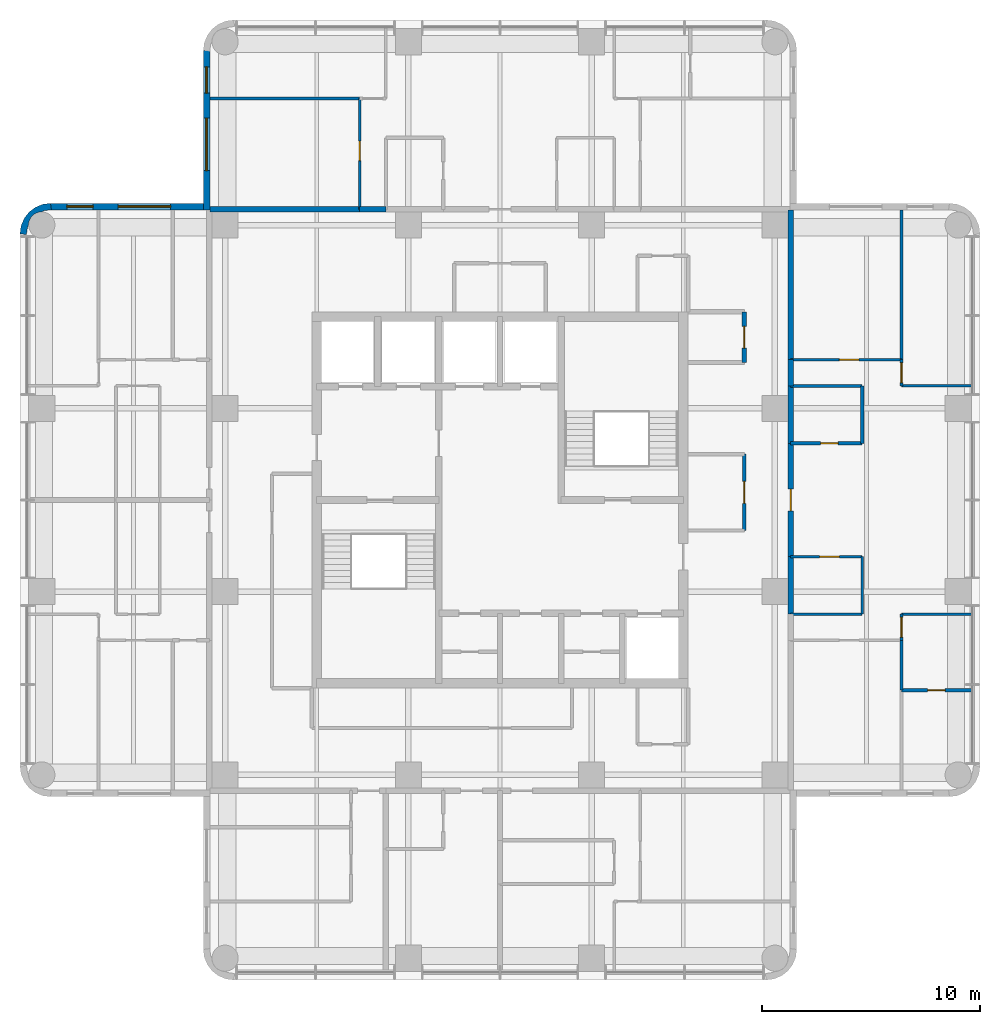
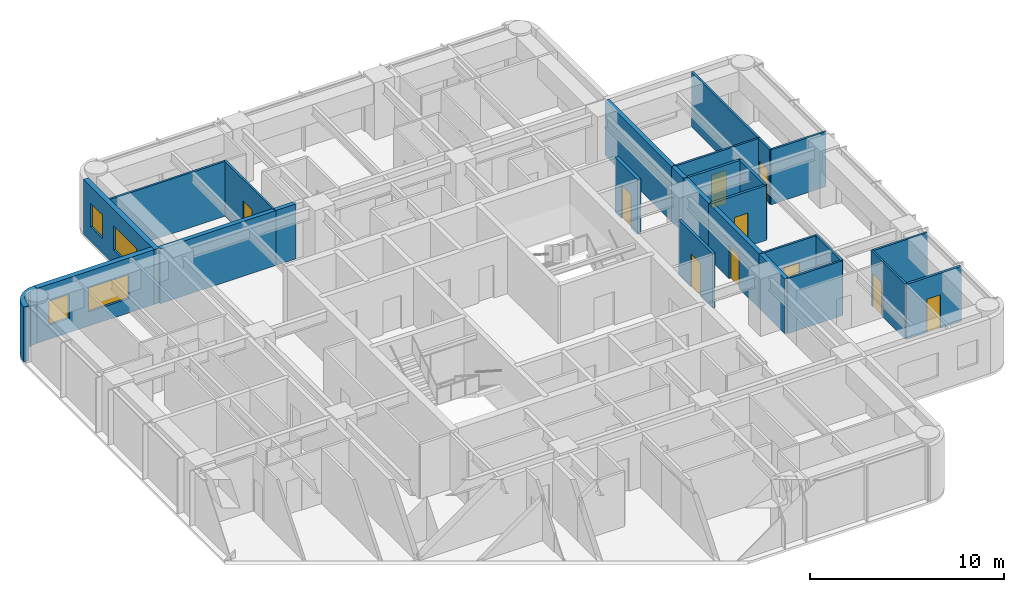
# One storey, part 7 of 10: 28 walls, 10 doors, 4 windows, 14 openings.
"""IFC4 building model written with IfcOpenShell, lengths in metres."""

from ifc_helpers import new_model, si_unit, direction, frame, frame_2d, origin, place, context, subcontext, project, spatial, polyline, rectangle, outline, extrude, material, layer, layer_set, type_object, element, fill, save


model = new_model("IFC4")

# Units and contexts
model_context = context("Model", 3, precision=1e-05, world=origin(), true_north=direction((0.0, 1.0)))
body_context = subcontext(model_context, "Body", "Model", "MODEL_VIEW")
ifc_project = project(units=[si_unit("LENGTHUNIT", "METRE"), si_unit("AREAUNIT", "SQUARE_METRE"), si_unit("VOLUMEUNIT", "CUBIC_METRE"), si_unit("PLANEANGLEUNIT", "RADIAN"), si_unit("MASSUNIT", "GRAM", prefix="KILO")], contexts=[model_context])

# Site, building, storey
site_placement = place(None, origin())
site = spatial("IfcSite", under=ifc_project, at=site_placement, CompositionType="ELEMENT")
building_placement = place(site_placement, origin())
building = spatial("IfcBuilding", under=site, at=building_placement, Name="Torre Alcanfor", CompositionType="ELEMENT")
storey_placement = place(building_placement, frame((0.0, 0.0, 261.300048828125)))
storey = spatial("IfcBuildingStorey", under=building, at=storey_placement, Name="L68", CompositionType="ELEMENT", Elevation=261.300048828125)

# Walls
ifc_material_1 = material(Name="Concrete block masonry, hollow blocks NMX-C-404 9 MPa", Category="masonry")
ifc_layer_1 = layer(ifc_material_1, 0.25)
ifc_layer_set_1 = layer_set([ifc_layer_1], Name="Apartment entrance wall 250 EI 60")
wall_type_1 = type_object("IfcWallType", Name="Apartment entrance wall 250 EI 60", PredefinedType="PARTITIONING", material=ifc_layer_set_1)
wall_1_placement = place(storey_placement, frame((22.970947265625, 42.72509765625, 0.0), z_axis=(0.0, 0.0, 1.0), x_axis=(1.0, 0.0, 0.0)))
element("IfcWall", 1, at=wall_1_placement, inside=storey, type_object=wall_type_1, Name="Partition L68-CORR / L68-NX-LIVING", PredefinedType="PARTITIONING", context=body_context, shape_type="SweptSolid", body=[
    extrude(rectangle(XDim=1.199951171875, YDim=0.25, at=frame_2d((0.60009765625, 0.0))), origin(), (0.0, 0.0, 1.0), 3.449951171875),
])
wall_2_placement = place(storey_placement, frame((16.10009765625, 42.72509765625, 0.0), z_axis=(0.0, 0.0, 1.0), x_axis=(1.0, 0.0, 0.0)))
element("IfcWall", 2, at=wall_2_placement, inside=storey, type_object=wall_type_1, Name="Partition L68-CORR / L68-NX-BED2", PredefinedType="PARTITIONING", context=body_context, shape_type="SweptSolid", body=[
    extrude(rectangle(XDim=6.870849609375, YDim=0.25, at=frame_2d((3.435546875, 0.0))), origin(), (0.0, 0.0, 1.0), 3.449951171875),
])

# Wall, opening, door
wall_3_placement = place(storey_placement, frame((42.72509765625, 32.0, 0.0), z_axis=(0.0, 0.0, 1.0), x_axis=(0.0, -1.0, 0.0)))
wall_3 = element("IfcWall", 3, at=wall_3_placement, inside=storey, type_object=wall_type_1, Name="Partition L68-CORR / L68-EX-ZAG", PredefinedType="PARTITIONING", context=body_context, shape_type="SweptSolid", body=[
    extrude(rectangle(XDim=5.199951171875, YDim=0.25, at=frame_2d((2.60009765625, 0.0))), origin(), (0.0, 0.0, 1.0), 3.449951171875),
])
opening_1_placement = place(wall_3_placement, frame((2.10009765625, 0.0, 0.0)))
opening_1 = element("IfcOpeningElement", 4, at=opening_1_placement, cuts=wall_3, Name="Opening D-A1", PredefinedType="OPENING", context=body_context, shape_type="SweptSolid", body=[
    extrude(rectangle(XDim=1.0, YDim=2.10009765625, at=frame_2d((0.5, 1.050048828125))), frame((0.0, 0.135009765625, 0.0), z_axis=(0.0, -1.0, 0.0), x_axis=(1.0, 0.0, 0.0)), (0.0, 0.0, 1.0), 0.27001953125),
])
ifc_material_2 = material(Name="Galvanised steel sheet ASTM A653", Category="steel")
door_type_1 = type_object("IfcDoorType", Name="Apartment entrance door FD60 1000x2100", OperationType="SINGLE_SWING_LEFT", PredefinedType="DOOR", material=ifc_material_2)
door_1_placement = place(opening_1_placement, origin())
door_1 = element("IfcDoor", 5, at=door_1_placement, inside=storey, type_object=door_type_1, Name="Apartment entrance L68-EX", OperationType="SINGLE_SWING_LEFT", OverallHeight=2.10009765625, OverallWidth=1.0, PredefinedType="DOOR", context=body_context, shape_type="SweptSolid", body=[
    extrude(rectangle(XDim=1.0, YDim=2.10009765625, at=frame_2d((0.5, 1.050048828125))), frame((0.0, 0.02490234375, 0.0), z_axis=(0.0, -1.0, 0.0), x_axis=(1.0, 0.0, 0.0)), (0.0, 0.0, 1.0), 0.050048828125),
])
fill(opening_1, door_1)

# Walls
wall_4_placement = place(storey_placement, frame((42.72509765625, 34.62890625, 0.0), z_axis=(0.0, 0.0, 1.0), x_axis=(0.0, -1.0, 0.0)))
element("IfcWall", 6, at=wall_4_placement, inside=storey, type_object=wall_type_1, Name="Partition L68-CORR / L68-EX-BATH2", PredefinedType="PARTITIONING", context=body_context, shape_type="SweptSolid", body=[
    extrude(rectangle(XDim=2.62890625, YDim=0.25, at=frame_2d((1.314453125, 0.0))), origin(), (0.0, 0.0, 1.0), 3.449951171875),
])
wall_5_placement = place(storey_placement, frame((42.72509765625, 26.800048828125, 0.0), z_axis=(0.0, 0.0, 1.0), x_axis=(0.0, -1.0, 0.0)))
element("IfcWall", 7, at=wall_5_placement, inside=storey, type_object=wall_type_1, Name="Partition L68-CORR / L68-EX-KITCHEN", PredefinedType="PARTITIONING", context=body_context, shape_type="SweptSolid", body=[
    extrude(rectangle(XDim=2.629150390625, YDim=0.25, at=frame_2d((1.314453125, 0.0))), origin(), (0.0, 0.0, 1.0), 3.449951171875),
])
wall_6_placement = place(storey_placement, frame((42.72509765625, 35.8291015625, 0.0), z_axis=(0.0, 0.0, 1.0), x_axis=(0.0, -1.0, 0.0)))
element("IfcWall", 8, at=wall_6_placement, inside=storey, type_object=wall_type_1, Name="Partition L68-CORR / L68-EX-LIVING", PredefinedType="PARTITIONING", context=body_context, shape_type="SweptSolid", body=[
    extrude(rectangle(XDim=1.2001953125, YDim=0.25, at=frame_2d((0.60009765625, 0.0))), origin(), (0.0, 0.0, 1.0), 3.449951171875),
])
wall_7_placement = place(storey_placement, frame((42.72509765625, 42.699951171875, 0.0), z_axis=(0.0, 0.0, 1.0), x_axis=(0.0, -1.0, 0.0)))
element("IfcWall", 9, at=wall_7_placement, inside=storey, type_object=wall_type_1, Name="Partition L68-CORR / L68-EX-BED2", PredefinedType="PARTITIONING", context=body_context, shape_type="SweptSolid", body=[
    extrude(rectangle(XDim=6.870849609375, YDim=0.25, at=frame_2d((3.435546875, 0.0))), origin(), (0.0, 0.0, 1.0), 3.449951171875),
])

# Wall, opening, door
ifc_material_3 = material(Name="Gypsum board on steel studs", Category="steel")
ifc_layer_2 = layer(ifc_material_3, 0.1201171875)
ifc_layer_set_2 = layer_set([ifc_layer_2], Name="Apartment partition 120")
wall_type_2 = type_object("IfcWallType", Name="Apartment partition 120", PredefinedType="PARTITIONING", material=ifc_layer_set_2)
wall_8_placement = place(storey_placement, frame((22.970947265625, 42.72509765625, 0.0), z_axis=(0.0, 0.0, 1.0), x_axis=(0.0, 1.0, 0.0)))
wall_8 = element("IfcWall", 10, at=wall_8_placement, inside=storey, type_object=wall_type_2, Name="Partition L68-NX-LIVING / L68-NX-BED2", PredefinedType="PARTITIONING", context=body_context, shape_type="SweptSolid", body=[
    extrude(rectangle(XDim=5.074951171875, YDim=0.1201171875, at=frame_2d((2.53759765625, 0.0))), origin(), (0.0, 0.0, 1.0), 3.449951171875),
])
opening_2_placement = place(wall_8_placement, frame((2.22509765625, 0.0, 0.0)))
opening_2 = element("IfcOpeningElement", 11, at=opening_2_placement, cuts=wall_8, Name="Opening D-R1", PredefinedType="OPENING", context=body_context, shape_type="SweptSolid", body=[
    extrude(rectangle(XDim=0.89990234375, YDim=2.10009765625, at=frame_2d((0.449951171875, 1.050048828125))), frame((0.0, 0.070068359375, 0.0), z_axis=(0.0, -1.0, 0.0), x_axis=(1.0, 0.0, 0.0)), (0.0, 0.0, 1.0), 0.14013671875),
])
ifc_material_4 = material(Name="Timber", Category="wood")
door_type_2 = type_object("IfcDoorType", Name="Internal door 900x2100", OperationType="SINGLE_SWING_LEFT", PredefinedType="DOOR", material=ifc_material_4)
door_2_placement = place(opening_2_placement, origin())
door_2 = element("IfcDoor", 12, at=door_2_placement, inside=storey, type_object=door_type_2, Name="Door L68-NX bed2", OperationType="SINGLE_SWING_RIGHT", OverallHeight=2.10009765625, OverallWidth=0.89990234375, PredefinedType="DOOR", context=body_context, shape_type="SweptSolid", body=[
    extrude(rectangle(XDim=0.89990234375, YDim=2.10009765625, at=frame_2d((0.449951171875, 1.050048828125))), frame((0.0, 0.02490234375, 0.0), z_axis=(0.0, -1.0, 0.0), x_axis=(1.0, 0.0, 0.0)), (0.0, 0.0, 1.0), 0.050048828125),
])
fill(opening_2, door_2)

# Wall
wall_9_placement = place(storey_placement, frame((22.970947265625, 47.800048828125, 0.0), z_axis=(0.0, 0.0, 1.0), x_axis=(-1.0, 0.0, 0.0)))
element("IfcWall", 13, at=wall_9_placement, inside=storey, type_object=wall_type_2, Name="Partition L68-NX-BED2 / L68-NX-MASTER", PredefinedType="PARTITIONING", context=body_context, shape_type="SweptSolid", body=[
    extrude(rectangle(XDim=6.870849609375, YDim=0.1201171875, at=frame_2d((3.435546875, 0.0))), origin(), (0.0, 0.0, 1.0), 3.449951171875),
])

# Wall, opening, door
wall_10_placement = place(storey_placement, frame((42.72509765625, 26.800048828125, 0.0), z_axis=(0.0, 0.0, 1.0), x_axis=(1.0, 0.0, 0.0)))
wall_10 = element("IfcWall", 14, at=wall_10_placement, inside=storey, type_object=wall_type_2, Name="Partition L68-EX-ZAG / L68-EX-KITCHEN", PredefinedType="PARTITIONING", context=body_context, shape_type="SweptSolid", body=[
    extrude(rectangle(XDim=3.27490234375, YDim=0.1201171875, at=frame_2d((1.637451171875, 0.0))), origin(), (0.0, 0.0, 1.0), 3.449951171875),
])
opening_3_placement = place(wall_10_placement, frame((1.324951171875, 0.0, 0.0)))
opening_3 = element("IfcOpeningElement", 15, at=opening_3_placement, cuts=wall_10, Name="Opening D-R1", PredefinedType="OPENING", context=body_context, shape_type="SweptSolid", body=[
    extrude(rectangle(XDim=0.89990234375, YDim=2.10009765625, at=frame_2d((0.449951171875, 1.050048828125))), frame((0.0, 0.070068359375, 0.0), z_axis=(0.0, -1.0, 0.0), x_axis=(1.0, 0.0, 0.0)), (0.0, 0.0, 1.0), 0.14013671875),
])
door_3_placement = place(opening_3_placement, frame((0.89990234375, 0.0, 0.0), z_axis=(0.0, 0.0, 1.0), x_axis=(-1.0, 0.0, 0.0)))
door_3 = element("IfcDoor", 16, at=door_3_placement, inside=storey, type_object=door_type_2, Name="Door L68-EX kitchen", OperationType="SINGLE_SWING_LEFT", OverallHeight=2.10009765625, OverallWidth=0.89990234375, PredefinedType="DOOR", context=body_context, shape_type="SweptSolid", body=[
    extrude(rectangle(XDim=0.89990234375, YDim=2.10009765625, at=frame_2d((0.449951171875, 1.050048828125))), frame((0.0, 0.025146484375, 0.0), z_axis=(0.0, -1.0, 0.0), x_axis=(1.0, 0.0, 0.0)), (0.0, 0.0, 1.0), 0.050048828125),
])
fill(opening_3, door_3)

# Walls
wall_11_placement = place(storey_placement, frame((42.72509765625, 24.1708984375, 0.0), z_axis=(0.0, 0.0, 1.0), x_axis=(1.0, 0.0, 0.0)))
element("IfcWall", 17, at=wall_11_placement, inside=storey, type_object=wall_type_2, Name="Partition L68-EX-KITCHEN / L68-EX-LIVING", PredefinedType="PARTITIONING", context=body_context, shape_type="SweptSolid", body=[
    extrude(rectangle(XDim=3.27490234375, YDim=0.1201171875, at=frame_2d((1.637451171875, 0.0))), origin(), (0.0, 0.0, 1.0), 3.449951171875),
])
wall_12_placement = place(storey_placement, frame((46.0, 24.1708984375, 0.0), z_axis=(0.0, 0.0, 1.0), x_axis=(0.0, 1.0, 0.0)))
element("IfcWall", 18, at=wall_12_placement, inside=storey, type_object=wall_type_2, Name="Partition L68-EX-KITCHEN / L68-EX-LIVING", PredefinedType="PARTITIONING", context=body_context, shape_type="SweptSolid", body=[
    extrude(rectangle(XDim=2.629150390625, YDim=0.1201171875, at=frame_2d((1.314453125, 0.0))), origin(), (0.0, 0.0, 1.0), 3.449951171875),
])

# Wall, opening, door
wall_13_placement = place(storey_placement, frame((42.72509765625, 35.8291015625, 0.0), z_axis=(0.0, 0.0, 1.0), x_axis=(1.0, 0.0, 0.0)))
wall_13 = element("IfcWall", 19, at=wall_13_placement, inside=storey, type_object=wall_type_2, Name="Partition L68-EX-LIVING / L68-EX-BED2", PredefinedType="PARTITIONING", context=body_context, shape_type="SweptSolid", body=[
    extrude(rectangle(XDim=5.074951171875, YDim=0.1201171875, at=frame_2d((2.53759765625, 0.0))), origin(), (0.0, 0.0, 1.0), 3.449951171875),
])
opening_4_placement = place(wall_13_placement, frame((2.22509765625, 0.0, 0.0)))
opening_4 = element("IfcOpeningElement", 20, at=opening_4_placement, cuts=wall_13, Name="Opening D-R1", PredefinedType="OPENING", context=body_context, shape_type="SweptSolid", body=[
    extrude(rectangle(XDim=0.89990234375, YDim=2.10009765625, at=frame_2d((0.449951171875, 1.050048828125))), frame((0.0, 0.070068359375, 0.0), z_axis=(0.0, -1.0, 0.0), x_axis=(1.0, 0.0, 0.0)), (0.0, 0.0, 1.0), 0.14013671875),
])
door_4_placement = place(opening_4_placement, origin())
door_4 = element("IfcDoor", 21, at=door_4_placement, inside=storey, type_object=door_type_2, Name="Door L68-EX bed2", OperationType="SINGLE_SWING_RIGHT", OverallHeight=2.10009765625, OverallWidth=0.89990234375, PredefinedType="DOOR", context=body_context, shape_type="SweptSolid", body=[
    extrude(rectangle(XDim=0.89990234375, YDim=2.10009765625, at=frame_2d((0.449951171875, 1.050048828125))), frame((0.0, 0.02490234375, 0.0), z_axis=(0.0, -1.0, 0.0), x_axis=(1.0, 0.0, 0.0)), (0.0, 0.0, 1.0), 0.050048828125),
])
fill(opening_4, door_4)

wall_14_placement = place(storey_placement, frame((47.800048828125, 35.8291015625, 0.0), z_axis=(0.0, 0.0, 1.0), x_axis=(0.0, -1.0, 0.0)))
wall_14 = element("IfcWall", 22, at=wall_14_placement, inside=storey, type_object=wall_type_2, Name="Partition L68-EX-LIVING / L68-EX-MASTER", PredefinedType="PARTITIONING", context=body_context, shape_type="SweptSolid", body=[
    extrude(rectangle(XDim=1.2001953125, YDim=0.1201171875, at=frame_2d((0.60009765625, 0.0))), origin(), (0.0, 0.0, 1.0), 3.449951171875),
])
opening_5_placement = place(wall_14_placement, frame((0.14892578125, 0.0, 0.0)))
opening_5 = element("IfcOpeningElement", 23, at=opening_5_placement, cuts=wall_14, Name="Opening D-R1", PredefinedType="OPENING", context=body_context, shape_type="SweptSolid", body=[
    extrude(rectangle(XDim=0.89990234375, YDim=2.10009765625, at=frame_2d((0.449951171875, 1.050048828125))), frame((0.0, 0.070068359375, 0.0), z_axis=(0.0, -1.0, 0.0), x_axis=(1.0, 0.0, 0.0)), (0.0, 0.0, 1.0), 0.14013671875),
])
door_5_placement = place(opening_5_placement, origin())
door_5 = element("IfcDoor", 24, at=door_5_placement, inside=storey, type_object=door_type_2, Name="Door L68-EX master", OperationType="SINGLE_SWING_RIGHT", OverallHeight=2.10009765625, OverallWidth=0.89990234375, PredefinedType="DOOR", context=body_context, shape_type="SweptSolid", body=[
    extrude(rectangle(XDim=0.89990234375, YDim=2.10009765625, at=frame_2d((0.449951171875, 1.050048828125))), frame((0.0, 0.02490234375, 0.0), z_axis=(0.0, -1.0, 0.0), x_axis=(1.0, 0.0, 0.0)), (0.0, 0.0, 1.0), 0.050048828125),
])
fill(opening_5, door_5)

# Walls
for number, where, z_axis, x_axis, name in (
    (25, (47.800048828125, 34.62890625, 0.0), (0.0, 0.0, 1.0), (1.0, 0.0, 0.0), "Partition L68-EX-LIVING / L68-EX-MASTER"),
    (26, (51.050048828125, 24.1708984375, 0.0), (0.0, 0.0, 1.0), (-1.0, 0.0, 0.0), "Partition L68-EX-LIVING / L68-EX-BED1"),
):
    element("IfcWall", number, at=place(storey_placement, frame(where, z_axis=z_axis, x_axis=x_axis)), inside=storey, type_object=wall_type_2, Name=name, PredefinedType="PARTITIONING", context=body_context, shape_type="SweptSolid", body=[
        extrude(rectangle(XDim=3.25, YDim=0.1201171875, at=frame_2d((1.625, 0.0))), origin(), (0.0, 0.0, 1.0), 3.449951171875),
    ])

# Wall, opening, door
wall_15_placement = place(storey_placement, frame((47.800048828125, 24.1708984375, 0.0), z_axis=(0.0, 0.0, 1.0), x_axis=(0.0, -1.0, 0.0)))
wall_15 = element("IfcWall", 27, at=wall_15_placement, inside=storey, type_object=wall_type_2, Name="Partition L68-EX-LIVING / L68-EX-BED1", PredefinedType="PARTITIONING", context=body_context, shape_type="SweptSolid", body=[
    extrude(rectangle(XDim=1.199951171875, YDim=0.1201171875, at=frame_2d((0.60009765625, 0.0))), origin(), (0.0, 0.0, 1.0), 3.449951171875),
])
opening_6_placement = place(wall_15_placement, frame((0.15087890625, 0.0, 0.0)))
opening_6 = element("IfcOpeningElement", 28, at=opening_6_placement, cuts=wall_15, Name="Opening D-R1", PredefinedType="OPENING", context=body_context, shape_type="SweptSolid", body=[
    extrude(rectangle(XDim=0.89990234375, YDim=2.10009765625, at=frame_2d((0.449951171875, 1.050048828125))), frame((0.0, 0.070068359375, 0.0), z_axis=(0.0, -1.0, 0.0), x_axis=(1.0, 0.0, 0.0)), (0.0, 0.0, 1.0), 0.14013671875),
])
door_6_placement = place(opening_6_placement, origin())
door_6 = element("IfcDoor", 29, at=door_6_placement, inside=storey, type_object=door_type_2, Name="Door L68-EX bed1", OperationType="SINGLE_SWING_LEFT", OverallHeight=2.10009765625, OverallWidth=0.89990234375, PredefinedType="DOOR", context=body_context, shape_type="SweptSolid", body=[
    extrude(rectangle(XDim=0.89990234375, YDim=2.10009765625, at=frame_2d((0.449951171875, 1.050048828125))), frame((0.0, 0.02490234375, 0.0), z_axis=(0.0, -1.0, 0.0), x_axis=(1.0, 0.0, 0.0)), (0.0, 0.0, 1.0), 0.050048828125),
])
fill(opening_6, door_6)

# Walls
wall_16_placement = place(storey_placement, frame((47.800048828125, 35.8291015625, 0.0), z_axis=(0.0, 0.0, 1.0), x_axis=(0.0, 1.0, 0.0)))
element("IfcWall", 30, at=wall_16_placement, inside=storey, type_object=wall_type_2, Name="Partition L68-EX-BED2 / L68-EX-MASTER", PredefinedType="PARTITIONING", context=body_context, shape_type="SweptSolid", body=[
    extrude(rectangle(XDim=6.870849609375, YDim=0.1201171875, at=frame_2d((3.435546875, 0.0))), origin(), (0.0, 0.0, 1.0), 3.449951171875),
])
wall_17_placement = place(storey_placement, frame((47.800048828125, 20.68603515625, 0.0), z_axis=(0.0, 0.0, 1.0), x_axis=(0.0, 1.0, 0.0)))
element("IfcWall", 31, at=wall_17_placement, inside=storey, type_object=wall_type_2, Name="Partition L68-EX-BED3 / L68-EX-BED1", PredefinedType="PARTITIONING", context=body_context, shape_type="SweptSolid", body=[
    extrude(rectangle(XDim=2.284912109375, YDim=0.1201171875, at=frame_2d((1.142578125, 0.0))), origin(), (0.0, 0.0, 1.0), 3.449951171875),
])

# Wall, openings, windows
ifc_material_5 = material(Name="Limestone cladding", Category="masonry")
ifc_layer_3 = layer(ifc_material_5, 0.0400390625, Name="Facing")
ifc_material_6 = material(Name="Ventilated air cavity")
ifc_layer_4 = layer(ifc_material_6, 0.02001953125, ventilated=True, Name="Ventilated joint")
ifc_material_7 = material(Name="Mineral wool insulation", Category="insulation")
ifc_layer_5 = layer(ifc_material_7, 0.10009765625, Name="Insulation")
ifc_material_8 = material(Name="Concrete f'c 35 MPa", Category="concrete")
ifc_layer_6 = layer(ifc_material_8, 0.139892578125, Name="Backing")
ifc_layer_set_3 = layer_set([ifc_layer_3, ifc_layer_4, ifc_layer_5, ifc_layer_6], Name="External wall stone-clad 300")
wall_type_3 = type_object("IfcWallType", Name="External wall stone-clad 300", PredefinedType="SOLIDWALL", material=ifc_layer_set_3)
wall_18_placement = place(storey_placement, frame((15.800048828125, 42.85009765625, 0.0), z_axis=(0.0, 0.0, 1.0), x_axis=(-1.0, 0.0, 0.0)))
wall_18 = element("IfcWall", 32, at=wall_18_placement, inside=storey, type_object=wall_type_3, Name="External wall L68 1", PredefinedType="SOLIDWALL", context=body_context, shape_type="SweptSolid", body=[
    extrude(rectangle(XDim=7.0, YDim=0.300048828125, at=frame_2d((3.5, 0.0))), origin(), (0.0, 0.0, 1.0), 3.449951171875),
])
opening_7_placement = place(wall_18_placement, frame((1.5, 0.0, 0.89990234375)))
opening_7 = element("IfcOpeningElement", 33, at=opening_7_placement, cuts=wall_18, Name="Opening W1", PredefinedType="OPENING", context=body_context, shape_type="SweptSolid", body=[
    extrude(rectangle(XDim=2.39990234375, YDim=1.5, at=frame_2d((1.199951171875, 0.75))), frame((0.0, 0.159912109375, 0.0), z_axis=(0.0, -1.0, 0.0), x_axis=(1.0, 0.0, 0.0)), (0.0, 0.0, 1.0), 0.320068359375),
])
opening_8_placement = place(wall_18_placement, frame((5.050048828125, 0.0, 0.89990234375)))
opening_8 = element("IfcOpeningElement", 34, at=opening_8_placement, cuts=wall_18, Name="Opening W4", PredefinedType="OPENING", context=body_context, shape_type="SweptSolid", body=[
    extrude(rectangle(XDim=1.199951171875, YDim=1.5, at=frame_2d((0.60009765625, 0.75))), frame((0.0, 0.159912109375, 0.0), z_axis=(0.0, -1.0, 0.0), x_axis=(1.0, 0.0, 0.0)), (0.0, 0.0, 1.0), 0.320068359375),
])
ifc_material_9 = material(Name="Aluminium frame with clear double glazing", Category="aluminium")
window_type_1 = type_object("IfcWindowType", Name="Window bedroom 1200x1500", PartitioningType="SINGLE_PANEL", PredefinedType="WINDOW", material=ifc_material_9)
window_1_placement = place(opening_8_placement, origin())
window_1 = element("IfcWindow", 35, at=window_1_placement, inside=storey, type_object=window_type_1, Name="Window W4 L68-W2", OverallHeight=1.5, OverallWidth=1.199951171875, PartitioningType="SINGLE_PANEL", PredefinedType="WINDOW", context=body_context, shape_type="SweptSolid", body=[
    extrude(rectangle(XDim=1.199951171875, YDim=1.5, at=frame_2d((0.60009765625, 0.75))), frame((0.0, 0.030029296875, 0.0), z_axis=(0.0, -1.0, 0.0), x_axis=(1.0, 0.0, 0.0)), (0.0, 0.0, 1.0), 0.06005859375),
])
fill(opening_8, window_1)
ifc_material_10 = material(Name="Aluminium frame with clear double glazing", Category="aluminium")
window_type_2 = type_object("IfcWindowType", Name="Window bedroom 2400x1500", PartitioningType="SINGLE_PANEL", PredefinedType="WINDOW", material=ifc_material_10)
window_2_placement = place(opening_7_placement, origin())
window_2 = element("IfcWindow", 36, at=window_2_placement, inside=storey, type_object=window_type_2, Name="Window W1 L68-W2", OverallHeight=1.5, OverallWidth=2.39990234375, PartitioningType="SINGLE_PANEL", PredefinedType="WINDOW", context=body_context, shape_type="SweptSolid", body=[
    extrude(rectangle(XDim=2.39990234375, YDim=1.5, at=frame_2d((1.199951171875, 0.75))), frame((0.0, 0.030029296875, 0.0), z_axis=(0.0, -1.0, 0.0), x_axis=(1.0, 0.0, 0.0)), (0.0, 0.0, 1.0), 0.06005859375),
])
fill(opening_7, window_2)

wall_19_placement = place(storey_placement, frame((15.949951171875, 50.0, 0.0), z_axis=(0.0, 0.0, 1.0), x_axis=(0.0, -1.0, 0.0)))
wall_19 = element("IfcWall", 37, at=wall_19_placement, inside=storey, type_object=wall_type_3, Name="External wall L68 12", PredefinedType="SOLIDWALL", context=body_context, shape_type="SweptSolid", body=[
    extrude(rectangle(XDim=7.300048828125, YDim=0.300048828125, at=frame_2d((3.64990234375, 0.0))), origin(), (0.0, 0.0, 1.0), 3.449951171875),
])
opening_9_placement = place(wall_19_placement, frame((3.10009765625, 0.0, 0.89990234375)))
opening_9 = element("IfcOpeningElement", 38, at=opening_9_placement, cuts=wall_19, Name="Opening W1", PredefinedType="OPENING", context=body_context, shape_type="SweptSolid", body=[
    extrude(rectangle(XDim=2.39990234375, YDim=1.5, at=frame_2d((1.199951171875, 0.75))), frame((0.0, 0.159912109375, 0.0), z_axis=(0.0, -1.0, 0.0), x_axis=(1.0, 0.0, 0.0)), (0.0, 0.0, 1.0), 0.320068359375),
])
opening_10_placement = place(wall_19_placement, frame((0.75, 0.0, 0.89990234375)))
opening_10 = element("IfcOpeningElement", 39, at=opening_10_placement, cuts=wall_19, Name="Opening W4", PredefinedType="OPENING", context=body_context, shape_type="SweptSolid", body=[
    extrude(rectangle(XDim=1.199951171875, YDim=1.5, at=frame_2d((0.60009765625, 0.75))), frame((0.0, 0.159912109375, 0.0), z_axis=(0.0, -1.0, 0.0), x_axis=(1.0, 0.0, 0.0)), (0.0, 0.0, 1.0), 0.320068359375),
])
window_3_placement = place(opening_10_placement, origin())
window_3 = element("IfcWindow", 40, at=window_3_placement, inside=storey, type_object=window_type_1, Name="Window W4 L68-N1", OverallHeight=1.5, OverallWidth=1.199951171875, PartitioningType="SINGLE_PANEL", PredefinedType="WINDOW", context=body_context, shape_type="SweptSolid", body=[
    extrude(rectangle(XDim=1.199951171875, YDim=1.5, at=frame_2d((0.60009765625, 0.75))), frame((0.0, 0.030029296875, 0.0), z_axis=(0.0, -1.0, 0.0), x_axis=(1.0, 0.0, 0.0)), (0.0, 0.0, 1.0), 0.06005859375),
])
fill(opening_10, window_3)
window_4_placement = place(opening_9_placement, origin())
window_4 = element("IfcWindow", 41, at=window_4_placement, inside=storey, type_object=window_type_2, Name="Window W1 L68-N1", OverallHeight=1.5, OverallWidth=2.39990234375, PartitioningType="SINGLE_PANEL", PredefinedType="WINDOW", context=body_context, shape_type="SweptSolid", body=[
    extrude(rectangle(XDim=2.39990234375, YDim=1.5, at=frame_2d((1.199951171875, 0.75))), frame((0.0, 0.030029296875, 0.0), z_axis=(0.0, -1.0, 0.0), x_axis=(1.0, 0.0, 0.0)), (0.0, 0.0, 1.0), 0.06005859375),
])
fill(opening_9, window_4)

# Wall, opening, door
ifc_material_11 = material(Name="Concrete block masonry, hollow blocks NMX-C-404 9 MPa", Category="masonry")
ifc_layer_7 = layer(ifc_material_11, 0.199951171875)
ifc_layer_set_4 = layer_set([ifc_layer_7], Name="Plant room wall 200 EI 60")
wall_type_4 = type_object("IfcWallType", Name="Plant room wall 200 EI 60", PredefinedType="PARTITIONING", material=ifc_layer_set_4)
wall_20_placement = place(storey_placement, frame((40.60009765625, 35.699951171875, 0.0), z_axis=(0.0, 0.0, 1.0), x_axis=(0.0, 1.0, 0.0)))
wall_20 = element("IfcWall", 42, at=wall_20_placement, inside=storey, type_object=wall_type_4, Name="Partition L68-CORR / L68-G04", PredefinedType="PARTITIONING", context=body_context, shape_type="SweptSolid", body=[
    extrude(rectangle(XDim=2.324951171875, YDim=0.199951171875, at=frame_2d((1.16259765625, 0.0))), origin(), (0.0, 0.0, 1.0), 3.449951171875),
])
opening_11_placement = place(wall_20_placement, frame((0.66259765625, 0.0, 0.0)))
opening_11 = element("IfcOpeningElement", 43, at=opening_11_placement, cuts=wall_20, Name="Opening D-K1", PredefinedType="OPENING", context=body_context, shape_type="SweptSolid", body=[
    extrude(rectangle(XDim=1.0, YDim=2.10009765625, at=frame_2d((0.5, 1.050048828125))), frame((0.0, 0.10986328125, 0.0), z_axis=(0.0, -1.0, 0.0), x_axis=(1.0, 0.0, 0.0)), (0.0, 0.0, 1.0), 0.219970703125),
])
ifc_material_12 = material(Name="Galvanised steel sheet ASTM A653", Category="steel")
door_type_3 = type_object("IfcDoorType", Name="Core room door FD60 1000x2100", OperationType="SINGLE_SWING_LEFT", PredefinedType="DOOR", material=ifc_material_12)
door_7_placement = place(opening_11_placement, origin())
door_7 = element("IfcDoor", 44, at=door_7_placement, inside=storey, type_object=door_type_3, Name="Door L68-G04 refuse and recycling store", OperationType="SINGLE_SWING_LEFT", OverallHeight=2.10009765625, OverallWidth=1.0, PredefinedType="DOOR", context=body_context, shape_type="SweptSolid", body=[
    extrude(rectangle(XDim=1.0, YDim=2.10009765625, at=frame_2d((0.5, 1.050048828125))), frame((0.0, 0.02490234375, 0.0), z_axis=(0.0, -1.0, 0.0), x_axis=(1.0, 0.0, 0.0)), (0.0, 0.0, 1.0), 0.050048828125),
])
fill(opening_11, door_7)

ifc_material_13 = material(Name="Concrete block masonry, hollow blocks NMX-C-404 9 MPa", Category="masonry")
ifc_layer_8 = layer(ifc_material_13, 0.14990234375)
ifc_layer_set_5 = layer_set([ifc_layer_8], Name="Residents' room partition 150")
wall_type_5 = type_object("IfcWallType", Name="Residents' room partition 150", PredefinedType="PARTITIONING", material=ifc_layer_set_5)
wall_21_placement = place(storey_placement, frame((40.60009765625, 28.0, 0.0), z_axis=(0.0, 0.0, 1.0), x_axis=(0.0, 1.0, 0.0)))
wall_21 = element("IfcWall", 45, at=wall_21_placement, inside=storey, type_object=wall_type_5, Name="Partition L68-CORR / L68-G03", PredefinedType="PARTITIONING", context=body_context, shape_type="SweptSolid", body=[
    extrude(rectangle(XDim=3.5, YDim=0.14990234375, at=frame_2d((1.75, 0.0))), origin(), (0.0, 0.0, 1.0), 3.449951171875),
])
opening_12_placement = place(wall_21_placement, frame((1.25, 0.0, 0.0)))
opening_12 = element("IfcOpeningElement", 46, at=opening_12_placement, cuts=wall_21, Name="Opening D-M1", PredefinedType="OPENING", context=body_context, shape_type="SweptSolid", body=[
    extrude(rectangle(XDim=1.0, YDim=2.10009765625, at=frame_2d((0.5, 1.050048828125))), frame((0.0, 0.0849609375, 0.0), z_axis=(0.0, -1.0, 0.0), x_axis=(1.0, 0.0, 0.0)), (0.0, 0.0, 1.0), 0.169921875),
])
ifc_material_14 = material(Name="Timber", Category="wood")
door_type_4 = type_object("IfcDoorType", Name="Residents' room door 1000x2100", OperationType="SINGLE_SWING_LEFT", PredefinedType="DOOR", material=ifc_material_14)
door_8_placement = place(opening_12_placement, origin())
door_8 = element("IfcDoor", 47, at=door_8_placement, inside=storey, type_object=door_type_4, Name="Door L68-G03 residents' lockers", OperationType="SINGLE_SWING_LEFT", OverallHeight=2.10009765625, OverallWidth=1.0, PredefinedType="DOOR", context=body_context, shape_type="SweptSolid", body=[
    extrude(rectangle(XDim=1.0, YDim=2.10009765625, at=frame_2d((0.5, 1.050048828125))), frame((0.0, 0.02490234375, 0.0), z_axis=(0.0, -1.0, 0.0), x_axis=(1.0, 0.0, 0.0)), (0.0, 0.0, 1.0), 0.050048828125),
])
fill(opening_12, door_8)

# Wall
ifc_layer_9 = layer(ifc_material_5, 0.0400390625, Name="Facing")
ifc_layer_10 = layer(ifc_material_6, 0.02001953125, ventilated=True, Name="Ventilated joint")
ifc_layer_11 = layer(ifc_material_7, 0.10009765625, Name="Insulation")
ifc_layer_12 = layer(ifc_material_8, 0.139892578125, Name="Backing")
ifc_layer_set_6 = layer_set([ifc_layer_9, ifc_layer_10, ifc_layer_11, ifc_layer_12], Name="Rounded corner pier stone-clad 300")
wall_type_6 = type_object("IfcWallType", Name="Rounded corner pier stone-clad 300", PredefinedType="SOLIDWALL", material=ifc_layer_set_6)
wall_22_placement = place(storey_placement, frame((8.761581746, 42.575898117, 0.0), z_axis=(0.0, 0.0, 1.0), x_axis=(-0.707106781187, 0.707106781187, 0.0)))
element("IfcWall", 48, at=wall_22_placement, inside=storey, type_object=wall_type_6, Name="Corner pier L68 13", PredefinedType="SOLIDWALL", context=body_context, shape_type="SweptSolid", body=[
    extrude(outline(polyline([(0.23297927971509194, 0.11416555226925892), (0.04670774238592084, -0.12872977027211618), (0.032551796082869844, -0.1428857165751672), (0.27268498276023495, -0.32708565200633083), (0.49520955330453675, -0.03723401977678656), (0.6350426814200405, 0.3004370895984301), (0.6826895250742122, 0.6629674217497361), (0.6350426814200405, 1.025152486918041), (0.49520955330453664, 1.3628235962932576), (0.27285761625173566, 1.6528478620143026), (0.032724429574370495, 1.468647926583139), (0.0467077423859209, 1.4546646137715884), (0.23315191320659262, 1.2115966577387127), (0.29219256729980525, 1.0690013937591991), (0.3577932940700416, 1.0034006669889626), (0.44946167805687187, 0.7826024313596671), (0.44946167805687187, 0.5433324121398051), (0.3579659275615422, 0.322361543019009), (0.29219256729980525, 0.256588182757272), (0.23297927971509194, 0.11416555226925892)])), origin(), (0.0, 0.0, 1.0), 3.449951171875),
])

# Wall, opening, door
ifc_material_15 = material(Name="Cement board on steel studs", Category="steel")
ifc_layer_13 = layer(ifc_material_15, 0.14990234375)
ifc_layer_set_7 = layer_set([ifc_layer_13], Name="Wet area partition 150")
wall_type_7 = type_object("IfcWallType", Name="Wet area partition 150", PredefinedType="PARTITIONING", material=ifc_layer_set_7)
wall_23_placement = place(storey_placement, frame((46.0, 32.0, 0.0), z_axis=(0.0, 0.0, 1.0), x_axis=(-1.0, 0.0, 0.0)))
wall_23 = element("IfcWall", 49, at=wall_23_placement, inside=storey, type_object=wall_type_7, Name="Partition L68-EX-ZAG / L68-EX-BATH2", PredefinedType="PARTITIONING", context=body_context, shape_type="SweptSolid", body=[
    extrude(rectangle(XDim=3.27490234375, YDim=0.14990234375, at=frame_2d((1.637451171875, 0.0))), origin(), (0.0, 0.0, 1.0), 3.449951171875),
])
opening_13_placement = place(wall_23_placement, frame((1.10009765625, 0.0, 0.0)))
opening_13 = element("IfcOpeningElement", 50, at=opening_13_placement, cuts=wall_23, Name="Opening D-R2", PredefinedType="OPENING", context=body_context, shape_type="SweptSolid", body=[
    extrude(rectangle(XDim=0.800048828125, YDim=2.10009765625, at=frame_2d((0.39990234375, 1.050048828125))), frame((0.0, 0.0849609375, 0.0), z_axis=(0.0, -1.0, 0.0), x_axis=(1.0, 0.0, 0.0)), (0.0, 0.0, 1.0), 0.169921875),
])
ifc_material_16 = material(Name="Timber", Category="wood")
door_type_5 = type_object("IfcDoorType", Name="Bathroom door 800x2100", OperationType="SINGLE_SWING_LEFT", PredefinedType="DOOR", material=ifc_material_16)
door_9_placement = place(opening_13_placement, frame((0.800048828125, 0.0, 0.0), z_axis=(0.0, 0.0, 1.0), x_axis=(-1.0, 0.0, 0.0)))
door_9 = element("IfcDoor", 51, at=door_9_placement, inside=storey, type_object=door_type_5, Name="Door L68-EX bath2", OperationType="SINGLE_SWING_RIGHT", OverallHeight=2.10009765625, OverallWidth=0.800048828125, PredefinedType="DOOR", context=body_context, shape_type="SweptSolid", body=[
    extrude(rectangle(XDim=0.800048828125, YDim=2.10009765625, at=frame_2d((0.400146484375, 1.050048828125))), frame((0.0, 0.025146484375, 0.0), z_axis=(0.0, -1.0, 0.0), x_axis=(1.0, 0.0, 0.0)), (0.0, 0.0, 1.0), 0.050048828125),
])
fill(opening_13, door_9)

# Walls
wall_24_placement = place(storey_placement, frame((46.0, 32.0, 0.0), z_axis=(0.0, 0.0, 1.0), x_axis=(0.0, 1.0, 0.0)))
element("IfcWall", 52, at=wall_24_placement, inside=storey, type_object=wall_type_7, Name="Partition L68-EX-BATH2 / L68-EX-LIVING", PredefinedType="PARTITIONING", context=body_context, shape_type="SweptSolid", body=[
    extrude(rectangle(XDim=2.62890625, YDim=0.14990234375, at=frame_2d((1.314453125, 0.0))), origin(), (0.0, 0.0, 1.0), 3.449951171875),
])
wall_25_placement = place(storey_placement, frame((46.0, 34.62890625, 0.0), z_axis=(0.0, 0.0, 1.0), x_axis=(-1.0, 0.0, 0.0)))
element("IfcWall", 53, at=wall_25_placement, inside=storey, type_object=wall_type_7, Name="Partition L68-EX-BATH2 / L68-EX-LIVING", PredefinedType="PARTITIONING", context=body_context, shape_type="SweptSolid", body=[
    extrude(rectangle(XDim=3.27490234375, YDim=0.14990234375, at=frame_2d((1.637451171875, 0.0))), origin(), (0.0, 0.0, 1.0), 3.449951171875),
])

# Wall, opening, door
wall_26_placement = place(storey_placement, frame((51.050048828125, 20.68603515625, 0.0), z_axis=(0.0, 0.0, 1.0), x_axis=(-1.0, 0.0, 0.0)))
wall_26 = element("IfcWall", 54, at=wall_26_placement, inside=storey, type_object=wall_type_7, Name="Partition L68-EX-BATH1 / L68-EX-BED1", PredefinedType="PARTITIONING", context=body_context, shape_type="SweptSolid", body=[
    extrude(rectangle(XDim=3.25, YDim=0.14990234375, at=frame_2d((1.625, 0.0))), origin(), (0.0, 0.0, 1.0), 3.449951171875),
])
opening_14_placement = place(wall_26_placement, frame((1.25, 0.0, 0.0)))
opening_14 = element("IfcOpeningElement", 55, at=opening_14_placement, cuts=wall_26, Name="Opening D-R2", PredefinedType="OPENING", context=body_context, shape_type="SweptSolid", body=[
    extrude(rectangle(XDim=0.800048828125, YDim=2.10009765625, at=frame_2d((0.39990234375, 1.050048828125))), frame((0.0, 0.0849609375, 0.0), z_axis=(0.0, -1.0, 0.0), x_axis=(1.0, 0.0, 0.0)), (0.0, 0.0, 1.0), 0.169921875),
])
door_10_placement = place(opening_14_placement, frame((0.800048828125, 0.0, 0.0), z_axis=(0.0, 0.0, 1.0), x_axis=(-1.0, 0.0, 0.0)))
door_10 = element("IfcDoor", 56, at=door_10_placement, inside=storey, type_object=door_type_5, Name="Door L68-EX bath1", OperationType="SINGLE_SWING_LEFT", OverallHeight=2.10009765625, OverallWidth=0.800048828125, PredefinedType="DOOR", context=body_context, shape_type="SweptSolid", body=[
    extrude(rectangle(XDim=0.800048828125, YDim=2.10009765625, at=frame_2d((0.400146484375, 1.050048828125))), frame((0.0, 0.025146484375, 0.0), z_axis=(0.0, -1.0, 0.0), x_axis=(1.0, 0.0, 0.0)), (0.0, 0.0, 1.0), 0.050048828125),
])
fill(opening_14, door_10)

save(model, "model.ifc")
